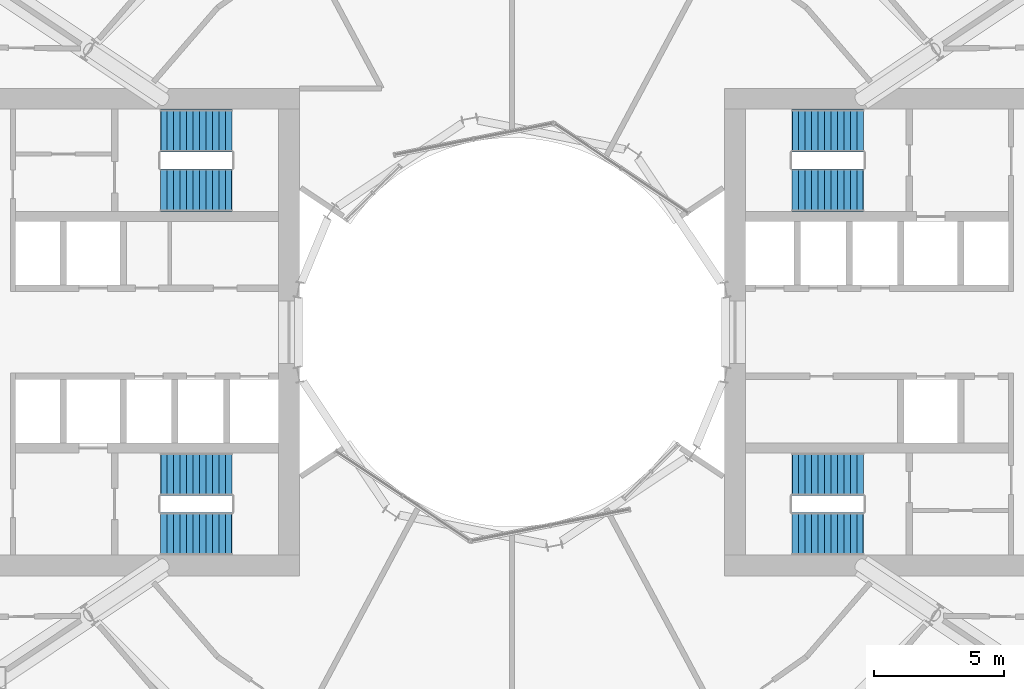
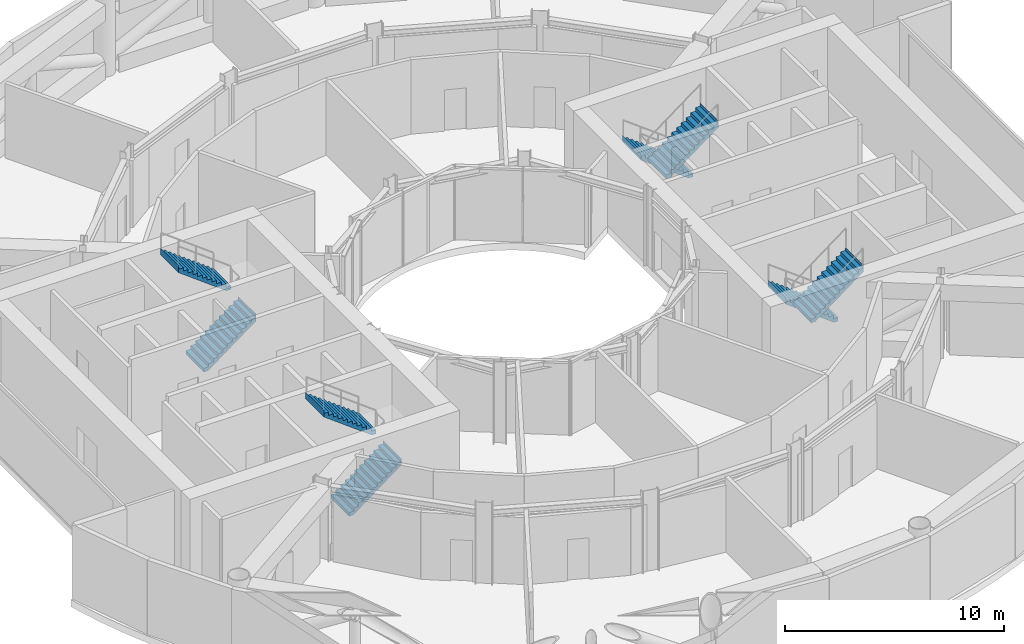
# One storey, part 14 of 15: 8 stair flights, 4 elements without a shape of their own.
"""IFC4 building model written with IfcOpenShell, lengths in metres."""

import ifcopenshell
import ifcopenshell.guid

model = None  # the IFC model being written
_history = None  # IfcOwnerHistory: only IFC2X3 demands one
_inside = {}  # id of a spatial element -> (the spatial element, [elements in it])
_under = {}  # id of a project, library or spatial element -> (it, [spatial elements below it])
_declared = {}  # id of a project -> (the project, [libraries it declares])
_typed = {}  # id of a type object -> (the type object, [elements of that type])
_made_of = {}  # id of a material, layer set ... -> (it, [elements and type objects made of it])


def new_model(schema):
    """Start an empty IFC model of exactly this schema.

    Asked for "IFC4X3", IfcOpenShell would pick the latest addendum, in which some entities
    have other attributes; the version numbers below select the first issue.
    IFC2X3 requires an IfcOwnerHistory on every rooted entity: one is made here for all.
    """
    global model, _history
    if schema == "IFC4X3":
        model = ifcopenshell.file(schema_version=(4, 3, 0, 0))
    else:
        model = ifcopenshell.file(schema=schema)
    _inside.clear()
    _under.clear()
    _declared.clear()
    _typed.clear()
    _made_of.clear()
    _history = None
    if model.schema == "IFC2X3":
        org = make("IfcOrganization", Name="unknown")
        user = make(
            "IfcPersonAndOrganization",
            ThePerson=make("IfcPerson", FamilyName="unknown"),
            TheOrganization=org,
        )
        app = make(
            "IfcApplication",
            ApplicationDeveloper=org,
            Version="unknown",
            ApplicationFullName="unknown",
            ApplicationIdentifier="unknown",
        )
        _history = make(
            "IfcOwnerHistory",
            OwningUser=user,
            OwningApplication=app,
            ChangeAction="ADDED",
            CreationDate=0,
        )
    return model


def make(cls, **values):
    """One entity of the class cls with the attributes given. An attribute that is None is left unset."""
    return model.create_entity(
        cls, **{name: value for name, value in values.items() if value is not None}
    )


def rooted(cls, **values):
    """An entity with a GlobalId (a new one), such as an element, a storey or a relation."""
    return make(cls, GlobalId=ifcopenshell.guid.new(), OwnerHistory=_history, **values)


def si_unit(unit_type, name, prefix=None):
    """IfcSIUnit, for example si_unit("LENGTHUNIT", "METRE", prefix="MILLI")."""
    return make("IfcSIUnit", UnitType=unit_type, Prefix=prefix, Name=name)


def assignment(units):
    """IfcUnitAssignment: the units of a project."""
    return None if units is None else make("IfcUnitAssignment", Units=units)


def point(xyz):
    """IfcCartesianPoint."""
    return None if xyz is None else make("IfcCartesianPoint", Coordinates=xyz)


def direction(xyz):
    """IfcDirection."""
    return None if xyz is None else make("IfcDirection", DirectionRatios=xyz)


def frame(location, z_axis=None, x_axis=None):
    """IfcAxis2Placement3D, a coordinate frame: its origin and axes. An axis left out is left unset."""
    return make(
        "IfcAxis2Placement3D",
        Location=point(location),
        Axis=direction(z_axis),
        RefDirection=direction(x_axis),
    )


def origin():
    """The frame at (0, 0, 0) with its axes left unset."""
    return frame((0.0, 0.0, 0.0))


def place(relative_to, where):
    """IfcLocalPlacement: puts the frame where relative to a parent placement (None: the world)."""
    return make(
        "IfcLocalPlacement", PlacementRelTo=relative_to, RelativePlacement=where
    )


def context(
    kind, dimensions, precision=None, world=None, true_north=None, identifier=None
):
    """IfcGeometricRepresentationContext, for example the 3D "Model" context."""
    return make(
        "IfcGeometricRepresentationContext",
        ContextIdentifier=identifier,
        ContextType=kind,
        CoordinateSpaceDimension=dimensions,
        Precision=precision,
        WorldCoordinateSystem=world,
        TrueNorth=true_north,
    )


def subcontext(parent, identifier, kind, view, scale=None):
    """IfcGeometricRepresentationSubContext, for example "Body" below "Model"."""
    return make(
        "IfcGeometricRepresentationSubContext",
        ContextIdentifier=identifier,
        ContextType=kind,
        ParentContext=parent,
        TargetScale=scale,
        TargetView=view,
    )


def project(units=None, contexts=None):
    """IfcProject with its units and contexts."""
    return rooted(
        "IfcProject",
        Name="project",
        RepresentationContexts=contexts,
        UnitsInContext=assignment(units),
    )


def spatial(cls, under=None, at=None, **own):
    """A site, building, storey or space (cls), placed at a placement, below another one or the project."""
    s = rooted(cls, ObjectPlacement=at, **own)
    if under is not None:
        _under.setdefault(under.id(), (under, []))[1].append(s)
    return s


def point_list(points):
    """IfcCartesianPointList2D or 3D."""
    cls = (
        "IfcCartesianPointList2D" if len(points[0]) == 2 else "IfcCartesianPointList3D"
    )
    return make(cls, CoordList=points)


def triangles(points, corners, closed=None, point_numbers=None):
    """IfcTriangulatedFaceSet: each triangle names its three corners, points numbered from 1."""
    return make(
        "IfcTriangulatedFaceSet",
        Coordinates=point_list(points),
        Closed=closed,
        CoordIndex=corners,
        PnIndex=point_numbers,
    )


def shape(context_of_items, identifier, shape_type, items):
    """IfcShapeRepresentation: the items that make up one representation, for example the "Body"."""
    return make(
        "IfcShapeRepresentation",
        ContextOfItems=context_of_items,
        RepresentationIdentifier=identifier,
        RepresentationType=shape_type,
        Items=items,
    )


def material(Name=None, Category=None):
    """IfcMaterial."""
    return make("IfcMaterial", Name=Name, Category=Category)


def made_of(thing, what):
    """Note that an element or type object is made of a material, layer set ...; save() writes the relation."""
    if what is not None:
        _made_of.setdefault(what.id(), (what, []))[1].append(thing)
    return thing


def type_object(cls, material=None, **own):
    """A type object (cls), such as IfcWallType, which elements share."""
    return made_of(rooted(cls, **own), material)


def element(
    cls,
    number,
    at=None,
    inside=None,
    cuts=None,
    type_object=None,
    material=None,
    context=None,
    identifier="Body",
    shape_type=None,
    held_by="IfcProductDefinitionShape",
    body=None,
    shapes=None,
    **own,
):
    """One element of the class cls, such as IfcWall. Its Tag is "e" and its number.

    at: its placement. inside: the storey or other place that contains it. cuts: it is an
    opening in that element (IfcRelVoidsElement). A single representation is given by context,
    identifier, shape_type and body (its items); several are given by shapes. held_by: the class
    of the entity that holds the representations. save() writes the other relations.
    """
    e = rooted(cls, Tag="e%d" % number, ObjectPlacement=at, **own)
    if body is not None:
        shapes = [shape(context, identifier, shape_type, body)]
    if shapes is not None:
        e.Representation = make(held_by, Representations=shapes)
    if inside is not None:
        _inside.setdefault(inside.id(), (inside, []))[1].append(e)
    if cuts is not None:
        rooted(
            "IfcRelVoidsElement", RelatingBuildingElement=cuts, RelatedOpeningElement=e
        )
    if type_object is not None:
        _typed.setdefault(type_object.id(), (type_object, []))[1].append(e)
    return made_of(e, material)


def aggregate(whole, parts):
    """IfcRelAggregates: a whole, such as a stair, and the parts it consists of."""
    return rooted("IfcRelAggregates", RelatingObject=whole, RelatedObjects=parts)


def save(model, path):
    """Write the relations noted so far, then the file.

    IfcRelAggregates (storeys below a building ...), IfcRelContainedInSpatialStructure (elements
    in a storey), IfcRelDefinesByType, IfcRelAssociatesMaterial and IfcRelDeclares: one each for
    every whole, place, type object, material and project.
    """
    for whole, parts in _under.values():
        aggregate(whole, parts)
    for where, things in _inside.values():
        rooted(
            "IfcRelContainedInSpatialStructure",
            RelatedElements=things,
            RelatingStructure=where,
        )
    for kind, things in _typed.values():
        rooted("IfcRelDefinesByType", RelatedObjects=things, RelatingType=kind)
    for what, things in _made_of.values():
        rooted("IfcRelAssociatesMaterial", RelatedObjects=things, RelatingMaterial=what)
    for by, libraries in _declared.values():
        rooted("IfcRelDeclares", RelatingContext=by, RelatedDefinitions=libraries)
    model.write(path)


model = new_model("IFC4")

# Units and contexts
model_context = context("Model", 3, precision=1e-05, world=origin(), true_north=direction((0.0, 1.0)))
body_context = subcontext(model_context, "Body", "Model", "MODEL_VIEW")
ifc_project = project(units=[si_unit("LENGTHUNIT", "METRE"), si_unit("AREAUNIT", "SQUARE_METRE"), si_unit("VOLUMEUNIT", "CUBIC_METRE"), si_unit("PLANEANGLEUNIT", "RADIAN"), si_unit("MASSUNIT", "GRAM", prefix="KILO")], contexts=[model_context])

# Site, building, storey
site_placement = place(None, origin())
site = spatial("IfcSite", under=ifc_project, at=site_placement, CompositionType="ELEMENT")
building_placement = place(site_placement, origin())
building = spatial("IfcBuilding", under=site, at=building_placement, Name="Maasbend Ring Residences", CompositionType="ELEMENT")
storey_placement = place(building_placement, frame((0.0, 0.0, 18.300048828125)))
storey = spatial("IfcBuildingStorey", under=building, at=storey_placement, Name="L04", CompositionType="ELEMENT", Elevation=18.300048828125)

# Stair, stair flights
ifc_material_1 = material(Name="Concrete C40/50", Category="concrete")
stair_type = type_object("IfcStairType", Name="CORE STAIR 24 RISERS", PredefinedType="HALF_TURN_STAIR", material=ifc_material_1)
stair_1_placement = place(storey_placement, origin())
stair_1 = element("IfcStair", 1, at=stair_1_placement, inside=storey, type_object=stair_type, Name="L04 Exit stair ST-E1", PredefinedType="HALF_TURN_STAIR")
ifc_material_2 = material(Name="Concrete C40/50", Category="concrete")
stair_flight_type = type_object("IfcStairFlightType", Name="CORE STAIR FLIGHT 1650", PredefinedType="STRAIGHT", material=ifc_material_2)
stair_flight_1_placement = place(storey_placement, frame((13.550048828125, 7.77490234375, 0.0), z_axis=(0.0, 0.0, 1.0), x_axis=(-1.0, 0.0, 0.0)))
stair_flight_1 = element("IfcStairFlight", 2, at=stair_flight_1_placement, type_object=stair_flight_type, Name="ST-E1 flight 1", NumberOfRisers=12, NumberOfTreads=11, PredefinedType="STRAIGHT", RiserHeight=0.1875, TreadLength=0.25, context=body_context, shape_type="Tessellation", body=[
    triangles([(0.22607421875, 0.824951171875, -0.02001953125), (2.7529296875, 0.824951171875, 1.875), (2.7529296875, 0.824951171875, 2.25), (2.739990234375, 0.824951171875, 2.0625), (2.5, 0.824951171875, 2.0625), (2.5, 0.824951171875, 1.875), (2.25, 0.824951171875, 1.875), (2.25, 0.824951171875, 1.6875), (2.0, 0.824951171875, 1.6875), (2.0, 0.824951171875, 1.5), (1.75, 0.824951171875, 1.5), (1.75, 0.824951171875, 1.3125), (1.5, 0.824951171875, 1.3125), (1.5, 0.824951171875, 1.125), (1.25, 0.824951171875, 1.125), (1.25, 0.824951171875, 0.9375), (1.0, 0.824951171875, 0.9375), (1.0, 0.824951171875, 0.75), (0.75, 0.824951171875, 0.75), (0.75, 0.824951171875, 0.5625), (0.5, 0.824951171875, 0.5625), (0.5, 0.824951171875, 0.375), (0.25, 0.824951171875, 0.375), (0.25, 0.824951171875, 0.1875), (0.0, 0.824951171875, 0.1875), (0.0, 0.824951171875, 0.0), (-0.0029296875, 0.824951171875, 0.0), (-0.0029296875, 0.824951171875, -0.02001953125), (0.22607421875, -0.824951171875, -0.02001953125), (2.7529296875, -0.824951171875, 1.875), (2.7529296875, -0.824951171875, 2.25), (2.739990234375, -0.824951171875, 2.0625), (2.5, -0.824951171875, 2.0625), (2.5, -0.824951171875, 1.875), (2.25, -0.824951171875, 1.875), (2.25, -0.824951171875, 1.6875), (2.0, -0.824951171875, 1.6875), (2.0, -0.824951171875, 1.5), (1.75, -0.824951171875, 1.5), (1.75, -0.824951171875, 1.3125), (1.5, -0.824951171875, 1.3125), (1.5, -0.824951171875, 1.125), (1.25, -0.824951171875, 1.125), (1.25, -0.824951171875, 0.9375), (1.0, -0.824951171875, 0.9375), (1.0, -0.824951171875, 0.75), (0.75, -0.824951171875, 0.75), (0.75, -0.824951171875, 0.5625), (0.5, -0.824951171875, 0.5625), (0.5, -0.824951171875, 0.375), (0.25, -0.824951171875, 0.375), (0.25, -0.824951171875, 0.1875), (0.0, -0.824951171875, 0.1875), (0.0, -0.824951171875, 0.0), (-0.0029296875, -0.824951171875, 0.0), (-0.0029296875, -0.824951171875, -0.02001953125)], [[1, 2, 30], [1, 30, 29], [2, 3, 31], [2, 31, 30], [3, 4, 32], [3, 32, 31], [4, 5, 33], [4, 33, 32], [5, 6, 34], [5, 34, 33], [6, 7, 35], [6, 35, 34], [7, 8, 36], [7, 36, 35], [8, 9, 37], [8, 37, 36], [9, 10, 38], [9, 38, 37], [10, 11, 39], [10, 39, 38], [11, 12, 40], [11, 40, 39], [12, 13, 41], [12, 41, 40], [13, 14, 42], [13, 42, 41], [14, 15, 43], [14, 43, 42], [15, 16, 44], [15, 44, 43], [16, 17, 45], [16, 45, 44], [17, 18, 46], [17, 46, 45], [18, 19, 47], [18, 47, 46], [19, 20, 48], [19, 48, 47], [20, 21, 49], [20, 49, 48], [21, 22, 50], [21, 50, 49], [22, 23, 51], [22, 51, 50], [23, 24, 52], [23, 52, 51], [24, 25, 53], [24, 53, 52], [25, 26, 54], [25, 54, 53], [26, 27, 55], [26, 55, 54], [27, 28, 56], [27, 56, 55], [28, 1, 29], [28, 29, 56], [28, 2, 1], [2, 4, 3], [2, 5, 4], [2, 6, 5], [28, 6, 2], [6, 8, 7], [28, 8, 6], [8, 10, 9], [28, 10, 8], [10, 12, 11], [28, 12, 10], [12, 14, 13], [28, 14, 12], [14, 16, 15], [28, 16, 14], [16, 18, 17], [28, 18, 16], [18, 20, 19], [28, 20, 18], [20, 22, 21], [28, 22, 20], [22, 24, 23], [28, 24, 22], [24, 26, 25], [28, 26, 24], [26, 28, 27], [56, 29, 30], [30, 31, 32], [30, 32, 33], [30, 33, 34], [56, 30, 34], [34, 35, 36], [56, 34, 36], [36, 37, 38], [56, 36, 38], [38, 39, 40], [56, 38, 40], [40, 41, 42], [56, 40, 42], [42, 43, 44], [56, 42, 44], [44, 45, 46], [56, 44, 46], [46, 47, 48], [56, 46, 48], [48, 49, 50], [56, 48, 50], [50, 51, 52], [56, 50, 52], [52, 53, 54], [56, 52, 54], [54, 55, 56]], closed=True),
])
stair_flight_2_placement = place(storey_placement, frame((10.800048828125, 5.47509765625, 2.25), z_axis=(0.0, 0.0, 1.0), x_axis=(1.0, 0.0, 0.0)))
stair_flight_2 = element("IfcStairFlight", 3, at=stair_flight_2_placement, type_object=stair_flight_type, Name="ST-E1 flight 2", NumberOfRisers=12, NumberOfTreads=11, PredefinedType="STRAIGHT", RiserHeight=0.1875, TreadLength=0.25, context=body_context, shape_type="Tessellation", body=[
    triangles([(0.22607421875, 0.824951171875, -0.02001953125), (2.7529296875, 0.824951171875, 1.875), (2.7529296875, 0.824951171875, 2.25), (2.739990234375, 0.824951171875, 2.0625), (2.5, 0.824951171875, 2.0625), (2.5, 0.824951171875, 1.875), (2.25, 0.824951171875, 1.875), (2.25, 0.824951171875, 1.6875), (2.0, 0.824951171875, 1.6875), (2.0, 0.824951171875, 1.5), (1.75, 0.824951171875, 1.5), (1.75, 0.824951171875, 1.3125), (1.5, 0.824951171875, 1.3125), (1.5, 0.824951171875, 1.125), (1.25, 0.824951171875, 1.125), (1.25, 0.824951171875, 0.9375), (1.0, 0.824951171875, 0.9375), (1.0, 0.824951171875, 0.75), (0.75, 0.824951171875, 0.75), (0.75, 0.824951171875, 0.5625), (0.5, 0.824951171875, 0.5625), (0.5, 0.824951171875, 0.375), (0.25, 0.824951171875, 0.375), (0.25, 0.824951171875, 0.1875), (0.0, 0.824951171875, 0.1875), (0.0, 0.824951171875, 0.0), (-0.0029296875, 0.824951171875, 0.0), (-0.0029296875, 0.824951171875, -0.02001953125), (0.22607421875, -0.824951171875, -0.02001953125), (2.7529296875, -0.824951171875, 1.875), (2.7529296875, -0.824951171875, 2.25), (2.739990234375, -0.824951171875, 2.0625), (2.5, -0.824951171875, 2.0625), (2.5, -0.824951171875, 1.875), (2.25, -0.824951171875, 1.875), (2.25, -0.824951171875, 1.6875), (2.0, -0.824951171875, 1.6875), (2.0, -0.824951171875, 1.5), (1.75, -0.824951171875, 1.5), (1.75, -0.824951171875, 1.3125), (1.5, -0.824951171875, 1.3125), (1.5, -0.824951171875, 1.125), (1.25, -0.824951171875, 1.125), (1.25, -0.824951171875, 0.9375), (1.0, -0.824951171875, 0.9375), (1.0, -0.824951171875, 0.75), (0.75, -0.824951171875, 0.75), (0.75, -0.824951171875, 0.5625), (0.5, -0.824951171875, 0.5625), (0.5, -0.824951171875, 0.375), (0.25, -0.824951171875, 0.375), (0.25, -0.824951171875, 0.1875), (0.0, -0.824951171875, 0.1875), (0.0, -0.824951171875, 0.0), (-0.0029296875, -0.824951171875, 0.0), (-0.0029296875, -0.824951171875, -0.02001953125)], [[1, 2, 30], [1, 30, 29], [2, 3, 31], [2, 31, 30], [3, 4, 32], [3, 32, 31], [4, 5, 33], [4, 33, 32], [5, 6, 34], [5, 34, 33], [6, 7, 35], [6, 35, 34], [7, 8, 36], [7, 36, 35], [8, 9, 37], [8, 37, 36], [9, 10, 38], [9, 38, 37], [10, 11, 39], [10, 39, 38], [11, 12, 40], [11, 40, 39], [12, 13, 41], [12, 41, 40], [13, 14, 42], [13, 42, 41], [14, 15, 43], [14, 43, 42], [15, 16, 44], [15, 44, 43], [16, 17, 45], [16, 45, 44], [17, 18, 46], [17, 46, 45], [18, 19, 47], [18, 47, 46], [19, 20, 48], [19, 48, 47], [20, 21, 49], [20, 49, 48], [21, 22, 50], [21, 50, 49], [22, 23, 51], [22, 51, 50], [23, 24, 52], [23, 52, 51], [24, 25, 53], [24, 53, 52], [25, 26, 54], [25, 54, 53], [26, 27, 55], [26, 55, 54], [27, 28, 56], [27, 56, 55], [28, 1, 29], [28, 29, 56], [28, 2, 1], [2, 4, 3], [2, 5, 4], [2, 6, 5], [28, 6, 2], [6, 8, 7], [28, 8, 6], [8, 10, 9], [28, 10, 8], [10, 12, 11], [28, 12, 10], [12, 14, 13], [28, 14, 12], [14, 16, 15], [28, 16, 14], [16, 18, 17], [28, 18, 16], [18, 20, 19], [28, 20, 18], [20, 22, 21], [28, 22, 20], [22, 24, 23], [28, 24, 22], [24, 26, 25], [28, 26, 24], [26, 28, 27], [56, 29, 30], [30, 31, 32], [30, 32, 33], [30, 33, 34], [56, 30, 34], [34, 35, 36], [56, 34, 36], [36, 37, 38], [56, 36, 38], [38, 39, 40], [56, 38, 40], [40, 41, 42], [56, 40, 42], [42, 43, 44], [56, 42, 44], [44, 45, 46], [56, 44, 46], [46, 47, 48], [56, 46, 48], [48, 49, 50], [56, 48, 50], [50, 51, 52], [56, 50, 52], [52, 53, 54], [56, 52, 54], [54, 55, 56]], closed=True),
])
aggregate(stair_1, [stair_flight_1, stair_flight_2])

stair_2_placement = place(storey_placement, origin())
stair_2 = element("IfcStair", 4, at=stair_2_placement, inside=storey, type_object=stair_type, Name="L04 Exit stair ST-E2", PredefinedType="HALF_TURN_STAIR")
stair_flight_3_placement = place(storey_placement, frame((13.550048828125, -5.47509765625, 0.0), z_axis=(0.0, 0.0, 1.0), x_axis=(-1.0, 0.0, 0.0)))
stair_flight_3 = element("IfcStairFlight", 5, at=stair_flight_3_placement, type_object=stair_flight_type, Name="ST-E2 flight 1", NumberOfRisers=12, NumberOfTreads=11, PredefinedType="STRAIGHT", RiserHeight=0.1875, TreadLength=0.25, context=body_context, shape_type="Tessellation", body=[
    triangles([(0.22607421875, 0.824951171875, -0.02001953125), (2.7529296875, 0.824951171875, 1.875), (2.7529296875, 0.824951171875, 2.25), (2.739990234375, 0.824951171875, 2.0625), (2.5, 0.824951171875, 2.0625), (2.5, 0.824951171875, 1.875), (2.25, 0.824951171875, 1.875), (2.25, 0.824951171875, 1.6875), (2.0, 0.824951171875, 1.6875), (2.0, 0.824951171875, 1.5), (1.75, 0.824951171875, 1.5), (1.75, 0.824951171875, 1.3125), (1.5, 0.824951171875, 1.3125), (1.5, 0.824951171875, 1.125), (1.25, 0.824951171875, 1.125), (1.25, 0.824951171875, 0.9375), (1.0, 0.824951171875, 0.9375), (1.0, 0.824951171875, 0.75), (0.75, 0.824951171875, 0.75), (0.75, 0.824951171875, 0.5625), (0.5, 0.824951171875, 0.5625), (0.5, 0.824951171875, 0.375), (0.25, 0.824951171875, 0.375), (0.25, 0.824951171875, 0.1875), (0.0, 0.824951171875, 0.1875), (0.0, 0.824951171875, 0.0), (-0.0029296875, 0.824951171875, 0.0), (-0.0029296875, 0.824951171875, -0.02001953125), (0.22607421875, -0.824951171875, -0.02001953125), (2.7529296875, -0.824951171875, 1.875), (2.7529296875, -0.824951171875, 2.25), (2.739990234375, -0.824951171875, 2.0625), (2.5, -0.824951171875, 2.0625), (2.5, -0.824951171875, 1.875), (2.25, -0.824951171875, 1.875), (2.25, -0.824951171875, 1.6875), (2.0, -0.824951171875, 1.6875), (2.0, -0.824951171875, 1.5), (1.75, -0.824951171875, 1.5), (1.75, -0.824951171875, 1.3125), (1.5, -0.824951171875, 1.3125), (1.5, -0.824951171875, 1.125), (1.25, -0.824951171875, 1.125), (1.25, -0.824951171875, 0.9375), (1.0, -0.824951171875, 0.9375), (1.0, -0.824951171875, 0.75), (0.75, -0.824951171875, 0.75), (0.75, -0.824951171875, 0.5625), (0.5, -0.824951171875, 0.5625), (0.5, -0.824951171875, 0.375), (0.25, -0.824951171875, 0.375), (0.25, -0.824951171875, 0.1875), (0.0, -0.824951171875, 0.1875), (0.0, -0.824951171875, 0.0), (-0.0029296875, -0.824951171875, 0.0), (-0.0029296875, -0.824951171875, -0.02001953125)], [[1, 2, 30], [1, 30, 29], [2, 3, 31], [2, 31, 30], [3, 4, 32], [3, 32, 31], [4, 5, 33], [4, 33, 32], [5, 6, 34], [5, 34, 33], [6, 7, 35], [6, 35, 34], [7, 8, 36], [7, 36, 35], [8, 9, 37], [8, 37, 36], [9, 10, 38], [9, 38, 37], [10, 11, 39], [10, 39, 38], [11, 12, 40], [11, 40, 39], [12, 13, 41], [12, 41, 40], [13, 14, 42], [13, 42, 41], [14, 15, 43], [14, 43, 42], [15, 16, 44], [15, 44, 43], [16, 17, 45], [16, 45, 44], [17, 18, 46], [17, 46, 45], [18, 19, 47], [18, 47, 46], [19, 20, 48], [19, 48, 47], [20, 21, 49], [20, 49, 48], [21, 22, 50], [21, 50, 49], [22, 23, 51], [22, 51, 50], [23, 24, 52], [23, 52, 51], [24, 25, 53], [24, 53, 52], [25, 26, 54], [25, 54, 53], [26, 27, 55], [26, 55, 54], [27, 28, 56], [27, 56, 55], [28, 1, 29], [28, 29, 56], [28, 2, 1], [2, 4, 3], [2, 5, 4], [2, 6, 5], [28, 6, 2], [6, 8, 7], [28, 8, 6], [8, 10, 9], [28, 10, 8], [10, 12, 11], [28, 12, 10], [12, 14, 13], [28, 14, 12], [14, 16, 15], [28, 16, 14], [16, 18, 17], [28, 18, 16], [18, 20, 19], [28, 20, 18], [20, 22, 21], [28, 22, 20], [22, 24, 23], [28, 24, 22], [24, 26, 25], [28, 26, 24], [26, 28, 27], [56, 29, 30], [30, 31, 32], [30, 32, 33], [30, 33, 34], [56, 30, 34], [34, 35, 36], [56, 34, 36], [36, 37, 38], [56, 36, 38], [38, 39, 40], [56, 38, 40], [40, 41, 42], [56, 40, 42], [42, 43, 44], [56, 42, 44], [44, 45, 46], [56, 44, 46], [46, 47, 48], [56, 46, 48], [48, 49, 50], [56, 48, 50], [50, 51, 52], [56, 50, 52], [52, 53, 54], [56, 52, 54], [54, 55, 56]], closed=True),
])
stair_flight_4_placement = place(storey_placement, frame((10.800048828125, -7.77490234375, 2.25), z_axis=(0.0, 0.0, 1.0), x_axis=(1.0, 0.0, 0.0)))
stair_flight_4 = element("IfcStairFlight", 6, at=stair_flight_4_placement, type_object=stair_flight_type, Name="ST-E2 flight 2", NumberOfRisers=12, NumberOfTreads=11, PredefinedType="STRAIGHT", RiserHeight=0.1875, TreadLength=0.25, context=body_context, shape_type="Tessellation", body=[
    triangles([(0.22607421875, 0.824951171875, -0.02001953125), (2.7529296875, 0.824951171875, 1.875), (2.7529296875, 0.824951171875, 2.25), (2.739990234375, 0.824951171875, 2.0625), (2.5, 0.824951171875, 2.0625), (2.5, 0.824951171875, 1.875), (2.25, 0.824951171875, 1.875), (2.25, 0.824951171875, 1.6875), (2.0, 0.824951171875, 1.6875), (2.0, 0.824951171875, 1.5), (1.75, 0.824951171875, 1.5), (1.75, 0.824951171875, 1.3125), (1.5, 0.824951171875, 1.3125), (1.5, 0.824951171875, 1.125), (1.25, 0.824951171875, 1.125), (1.25, 0.824951171875, 0.9375), (1.0, 0.824951171875, 0.9375), (1.0, 0.824951171875, 0.75), (0.75, 0.824951171875, 0.75), (0.75, 0.824951171875, 0.5625), (0.5, 0.824951171875, 0.5625), (0.5, 0.824951171875, 0.375), (0.25, 0.824951171875, 0.375), (0.25, 0.824951171875, 0.1875), (0.0, 0.824951171875, 0.1875), (0.0, 0.824951171875, 0.0), (-0.0029296875, 0.824951171875, 0.0), (-0.0029296875, 0.824951171875, -0.02001953125), (0.22607421875, -0.824951171875, -0.02001953125), (2.7529296875, -0.824951171875, 1.875), (2.7529296875, -0.824951171875, 2.25), (2.739990234375, -0.824951171875, 2.0625), (2.5, -0.824951171875, 2.0625), (2.5, -0.824951171875, 1.875), (2.25, -0.824951171875, 1.875), (2.25, -0.824951171875, 1.6875), (2.0, -0.824951171875, 1.6875), (2.0, -0.824951171875, 1.5), (1.75, -0.824951171875, 1.5), (1.75, -0.824951171875, 1.3125), (1.5, -0.824951171875, 1.3125), (1.5, -0.824951171875, 1.125), (1.25, -0.824951171875, 1.125), (1.25, -0.824951171875, 0.9375), (1.0, -0.824951171875, 0.9375), (1.0, -0.824951171875, 0.75), (0.75, -0.824951171875, 0.75), (0.75, -0.824951171875, 0.5625), (0.5, -0.824951171875, 0.5625), (0.5, -0.824951171875, 0.375), (0.25, -0.824951171875, 0.375), (0.25, -0.824951171875, 0.1875), (0.0, -0.824951171875, 0.1875), (0.0, -0.824951171875, 0.0), (-0.0029296875, -0.824951171875, 0.0), (-0.0029296875, -0.824951171875, -0.02001953125)], [[1, 2, 30], [1, 30, 29], [2, 3, 31], [2, 31, 30], [3, 4, 32], [3, 32, 31], [4, 5, 33], [4, 33, 32], [5, 6, 34], [5, 34, 33], [6, 7, 35], [6, 35, 34], [7, 8, 36], [7, 36, 35], [8, 9, 37], [8, 37, 36], [9, 10, 38], [9, 38, 37], [10, 11, 39], [10, 39, 38], [11, 12, 40], [11, 40, 39], [12, 13, 41], [12, 41, 40], [13, 14, 42], [13, 42, 41], [14, 15, 43], [14, 43, 42], [15, 16, 44], [15, 44, 43], [16, 17, 45], [16, 45, 44], [17, 18, 46], [17, 46, 45], [18, 19, 47], [18, 47, 46], [19, 20, 48], [19, 48, 47], [20, 21, 49], [20, 49, 48], [21, 22, 50], [21, 50, 49], [22, 23, 51], [22, 51, 50], [23, 24, 52], [23, 52, 51], [24, 25, 53], [24, 53, 52], [25, 26, 54], [25, 54, 53], [26, 27, 55], [26, 55, 54], [27, 28, 56], [27, 56, 55], [28, 1, 29], [28, 29, 56], [28, 2, 1], [2, 4, 3], [2, 5, 4], [2, 6, 5], [28, 6, 2], [6, 8, 7], [28, 8, 6], [8, 10, 9], [28, 10, 8], [10, 12, 11], [28, 12, 10], [12, 14, 13], [28, 14, 12], [14, 16, 15], [28, 16, 14], [16, 18, 17], [28, 18, 16], [18, 20, 19], [28, 20, 18], [20, 22, 21], [28, 22, 20], [22, 24, 23], [28, 24, 22], [24, 26, 25], [28, 26, 24], [26, 28, 27], [56, 29, 30], [30, 31, 32], [30, 32, 33], [30, 33, 34], [56, 30, 34], [34, 35, 36], [56, 34, 36], [36, 37, 38], [56, 36, 38], [38, 39, 40], [56, 38, 40], [40, 41, 42], [56, 40, 42], [42, 43, 44], [56, 42, 44], [44, 45, 46], [56, 44, 46], [46, 47, 48], [56, 46, 48], [48, 49, 50], [56, 48, 50], [50, 51, 52], [56, 50, 52], [52, 53, 54], [56, 52, 54], [54, 55, 56]], closed=True),
])
aggregate(stair_2, [stair_flight_3, stair_flight_4])

stair_3_placement = place(storey_placement, origin())
stair_3 = element("IfcStair", 7, at=stair_3_placement, inside=storey, type_object=stair_type, Name="L04 Exit stair ST-W1", PredefinedType="HALF_TURN_STAIR")
stair_flight_5_placement = place(storey_placement, frame((-13.550048828125, -7.77490234375, 0.0), z_axis=(0.0, 0.0, 1.0), x_axis=(1.0, 0.0, 0.0)))
stair_flight_5 = element("IfcStairFlight", 8, at=stair_flight_5_placement, type_object=stair_flight_type, Name="ST-W1 flight 1", NumberOfRisers=12, NumberOfTreads=11, PredefinedType="STRAIGHT", RiserHeight=0.1875, TreadLength=0.25, context=body_context, shape_type="Tessellation", body=[
    triangles([(0.22607421875, 0.824951171875, -0.02001953125), (2.7529296875, 0.824951171875, 1.875), (2.7529296875, 0.824951171875, 2.25), (2.739990234375, 0.824951171875, 2.0625), (2.5, 0.824951171875, 2.0625), (2.5, 0.824951171875, 1.875), (2.25, 0.824951171875, 1.875), (2.25, 0.824951171875, 1.6875), (2.0, 0.824951171875, 1.6875), (2.0, 0.824951171875, 1.5), (1.75, 0.824951171875, 1.5), (1.75, 0.824951171875, 1.3125), (1.5, 0.824951171875, 1.3125), (1.5, 0.824951171875, 1.125), (1.25, 0.824951171875, 1.125), (1.25, 0.824951171875, 0.9375), (1.0, 0.824951171875, 0.9375), (1.0, 0.824951171875, 0.75), (0.75, 0.824951171875, 0.75), (0.75, 0.824951171875, 0.5625), (0.5, 0.824951171875, 0.5625), (0.5, 0.824951171875, 0.375), (0.25, 0.824951171875, 0.375), (0.25, 0.824951171875, 0.1875), (0.0, 0.824951171875, 0.1875), (0.0, 0.824951171875, 0.0), (-0.0029296875, 0.824951171875, 0.0), (-0.0029296875, 0.824951171875, -0.02001953125), (0.22607421875, -0.824951171875, -0.02001953125), (2.7529296875, -0.824951171875, 1.875), (2.7529296875, -0.824951171875, 2.25), (2.739990234375, -0.824951171875, 2.0625), (2.5, -0.824951171875, 2.0625), (2.5, -0.824951171875, 1.875), (2.25, -0.824951171875, 1.875), (2.25, -0.824951171875, 1.6875), (2.0, -0.824951171875, 1.6875), (2.0, -0.824951171875, 1.5), (1.75, -0.824951171875, 1.5), (1.75, -0.824951171875, 1.3125), (1.5, -0.824951171875, 1.3125), (1.5, -0.824951171875, 1.125), (1.25, -0.824951171875, 1.125), (1.25, -0.824951171875, 0.9375), (1.0, -0.824951171875, 0.9375), (1.0, -0.824951171875, 0.75), (0.75, -0.824951171875, 0.75), (0.75, -0.824951171875, 0.5625), (0.5, -0.824951171875, 0.5625), (0.5, -0.824951171875, 0.375), (0.25, -0.824951171875, 0.375), (0.25, -0.824951171875, 0.1875), (0.0, -0.824951171875, 0.1875), (0.0, -0.824951171875, 0.0), (-0.0029296875, -0.824951171875, 0.0), (-0.0029296875, -0.824951171875, -0.02001953125)], [[1, 2, 30], [1, 30, 29], [2, 3, 31], [2, 31, 30], [3, 4, 32], [3, 32, 31], [4, 5, 33], [4, 33, 32], [5, 6, 34], [5, 34, 33], [6, 7, 35], [6, 35, 34], [7, 8, 36], [7, 36, 35], [8, 9, 37], [8, 37, 36], [9, 10, 38], [9, 38, 37], [10, 11, 39], [10, 39, 38], [11, 12, 40], [11, 40, 39], [12, 13, 41], [12, 41, 40], [13, 14, 42], [13, 42, 41], [14, 15, 43], [14, 43, 42], [15, 16, 44], [15, 44, 43], [16, 17, 45], [16, 45, 44], [17, 18, 46], [17, 46, 45], [18, 19, 47], [18, 47, 46], [19, 20, 48], [19, 48, 47], [20, 21, 49], [20, 49, 48], [21, 22, 50], [21, 50, 49], [22, 23, 51], [22, 51, 50], [23, 24, 52], [23, 52, 51], [24, 25, 53], [24, 53, 52], [25, 26, 54], [25, 54, 53], [26, 27, 55], [26, 55, 54], [27, 28, 56], [27, 56, 55], [28, 1, 29], [28, 29, 56], [28, 2, 1], [2, 4, 3], [2, 5, 4], [2, 6, 5], [28, 6, 2], [6, 8, 7], [28, 8, 6], [8, 10, 9], [28, 10, 8], [10, 12, 11], [28, 12, 10], [12, 14, 13], [28, 14, 12], [14, 16, 15], [28, 16, 14], [16, 18, 17], [28, 18, 16], [18, 20, 19], [28, 20, 18], [20, 22, 21], [28, 22, 20], [22, 24, 23], [28, 24, 22], [24, 26, 25], [28, 26, 24], [26, 28, 27], [56, 29, 30], [30, 31, 32], [30, 32, 33], [30, 33, 34], [56, 30, 34], [34, 35, 36], [56, 34, 36], [36, 37, 38], [56, 36, 38], [38, 39, 40], [56, 38, 40], [40, 41, 42], [56, 40, 42], [42, 43, 44], [56, 42, 44], [44, 45, 46], [56, 44, 46], [46, 47, 48], [56, 46, 48], [48, 49, 50], [56, 48, 50], [50, 51, 52], [56, 50, 52], [52, 53, 54], [56, 52, 54], [54, 55, 56]], closed=True),
])
stair_flight_6_placement = place(storey_placement, frame((-10.800048828125, -5.47509765625, 2.25), z_axis=(0.0, 0.0, 1.0), x_axis=(-1.0, 0.0, 0.0)))
stair_flight_6 = element("IfcStairFlight", 9, at=stair_flight_6_placement, type_object=stair_flight_type, Name="ST-W1 flight 2", NumberOfRisers=12, NumberOfTreads=11, PredefinedType="STRAIGHT", RiserHeight=0.1875, TreadLength=0.25, context=body_context, shape_type="Tessellation", body=[
    triangles([(0.22607421875, 0.824951171875, -0.02001953125), (2.7529296875, 0.824951171875, 1.875), (2.7529296875, 0.824951171875, 2.25), (2.739990234375, 0.824951171875, 2.0625), (2.5, 0.824951171875, 2.0625), (2.5, 0.824951171875, 1.875), (2.25, 0.824951171875, 1.875), (2.25, 0.824951171875, 1.6875), (2.0, 0.824951171875, 1.6875), (2.0, 0.824951171875, 1.5), (1.75, 0.824951171875, 1.5), (1.75, 0.824951171875, 1.3125), (1.5, 0.824951171875, 1.3125), (1.5, 0.824951171875, 1.125), (1.25, 0.824951171875, 1.125), (1.25, 0.824951171875, 0.9375), (1.0, 0.824951171875, 0.9375), (1.0, 0.824951171875, 0.75), (0.75, 0.824951171875, 0.75), (0.75, 0.824951171875, 0.5625), (0.5, 0.824951171875, 0.5625), (0.5, 0.824951171875, 0.375), (0.25, 0.824951171875, 0.375), (0.25, 0.824951171875, 0.1875), (0.0, 0.824951171875, 0.1875), (0.0, 0.824951171875, 0.0), (-0.0029296875, 0.824951171875, 0.0), (-0.0029296875, 0.824951171875, -0.02001953125), (0.22607421875, -0.824951171875, -0.02001953125), (2.7529296875, -0.824951171875, 1.875), (2.7529296875, -0.824951171875, 2.25), (2.739990234375, -0.824951171875, 2.0625), (2.5, -0.824951171875, 2.0625), (2.5, -0.824951171875, 1.875), (2.25, -0.824951171875, 1.875), (2.25, -0.824951171875, 1.6875), (2.0, -0.824951171875, 1.6875), (2.0, -0.824951171875, 1.5), (1.75, -0.824951171875, 1.5), (1.75, -0.824951171875, 1.3125), (1.5, -0.824951171875, 1.3125), (1.5, -0.824951171875, 1.125), (1.25, -0.824951171875, 1.125), (1.25, -0.824951171875, 0.9375), (1.0, -0.824951171875, 0.9375), (1.0, -0.824951171875, 0.75), (0.75, -0.824951171875, 0.75), (0.75, -0.824951171875, 0.5625), (0.5, -0.824951171875, 0.5625), (0.5, -0.824951171875, 0.375), (0.25, -0.824951171875, 0.375), (0.25, -0.824951171875, 0.1875), (0.0, -0.824951171875, 0.1875), (0.0, -0.824951171875, 0.0), (-0.0029296875, -0.824951171875, 0.0), (-0.0029296875, -0.824951171875, -0.02001953125)], [[1, 2, 30], [1, 30, 29], [2, 3, 31], [2, 31, 30], [3, 4, 32], [3, 32, 31], [4, 5, 33], [4, 33, 32], [5, 6, 34], [5, 34, 33], [6, 7, 35], [6, 35, 34], [7, 8, 36], [7, 36, 35], [8, 9, 37], [8, 37, 36], [9, 10, 38], [9, 38, 37], [10, 11, 39], [10, 39, 38], [11, 12, 40], [11, 40, 39], [12, 13, 41], [12, 41, 40], [13, 14, 42], [13, 42, 41], [14, 15, 43], [14, 43, 42], [15, 16, 44], [15, 44, 43], [16, 17, 45], [16, 45, 44], [17, 18, 46], [17, 46, 45], [18, 19, 47], [18, 47, 46], [19, 20, 48], [19, 48, 47], [20, 21, 49], [20, 49, 48], [21, 22, 50], [21, 50, 49], [22, 23, 51], [22, 51, 50], [23, 24, 52], [23, 52, 51], [24, 25, 53], [24, 53, 52], [25, 26, 54], [25, 54, 53], [26, 27, 55], [26, 55, 54], [27, 28, 56], [27, 56, 55], [28, 1, 29], [28, 29, 56], [28, 2, 1], [2, 4, 3], [2, 5, 4], [2, 6, 5], [28, 6, 2], [6, 8, 7], [28, 8, 6], [8, 10, 9], [28, 10, 8], [10, 12, 11], [28, 12, 10], [12, 14, 13], [28, 14, 12], [14, 16, 15], [28, 16, 14], [16, 18, 17], [28, 18, 16], [18, 20, 19], [28, 20, 18], [20, 22, 21], [28, 22, 20], [22, 24, 23], [28, 24, 22], [24, 26, 25], [28, 26, 24], [26, 28, 27], [56, 29, 30], [30, 31, 32], [30, 32, 33], [30, 33, 34], [56, 30, 34], [34, 35, 36], [56, 34, 36], [36, 37, 38], [56, 36, 38], [38, 39, 40], [56, 38, 40], [40, 41, 42], [56, 40, 42], [42, 43, 44], [56, 42, 44], [44, 45, 46], [56, 44, 46], [46, 47, 48], [56, 46, 48], [48, 49, 50], [56, 48, 50], [50, 51, 52], [56, 50, 52], [52, 53, 54], [56, 52, 54], [54, 55, 56]], closed=True),
])
aggregate(stair_3, [stair_flight_5, stair_flight_6])

stair_4_placement = place(storey_placement, origin())
stair_4 = element("IfcStair", 10, at=stair_4_placement, inside=storey, type_object=stair_type, Name="L04 Exit stair ST-W2", PredefinedType="HALF_TURN_STAIR")
stair_flight_7_placement = place(storey_placement, frame((-13.550048828125, 5.47509765625, 0.0), z_axis=(0.0, 0.0, 1.0), x_axis=(1.0, 0.0, 0.0)))
stair_flight_7 = element("IfcStairFlight", 11, at=stair_flight_7_placement, type_object=stair_flight_type, Name="ST-W2 flight 1", NumberOfRisers=12, NumberOfTreads=11, PredefinedType="STRAIGHT", RiserHeight=0.1875, TreadLength=0.25, context=body_context, shape_type="Tessellation", body=[
    triangles([(0.22607421875, 0.824951171875, -0.02001953125), (2.7529296875, 0.824951171875, 1.875), (2.7529296875, 0.824951171875, 2.25), (2.739990234375, 0.824951171875, 2.0625), (2.5, 0.824951171875, 2.0625), (2.5, 0.824951171875, 1.875), (2.25, 0.824951171875, 1.875), (2.25, 0.824951171875, 1.6875), (2.0, 0.824951171875, 1.6875), (2.0, 0.824951171875, 1.5), (1.75, 0.824951171875, 1.5), (1.75, 0.824951171875, 1.3125), (1.5, 0.824951171875, 1.3125), (1.5, 0.824951171875, 1.125), (1.25, 0.824951171875, 1.125), (1.25, 0.824951171875, 0.9375), (1.0, 0.824951171875, 0.9375), (1.0, 0.824951171875, 0.75), (0.75, 0.824951171875, 0.75), (0.75, 0.824951171875, 0.5625), (0.5, 0.824951171875, 0.5625), (0.5, 0.824951171875, 0.375), (0.25, 0.824951171875, 0.375), (0.25, 0.824951171875, 0.1875), (0.0, 0.824951171875, 0.1875), (0.0, 0.824951171875, 0.0), (-0.0029296875, 0.824951171875, 0.0), (-0.0029296875, 0.824951171875, -0.02001953125), (0.22607421875, -0.824951171875, -0.02001953125), (2.7529296875, -0.824951171875, 1.875), (2.7529296875, -0.824951171875, 2.25), (2.739990234375, -0.824951171875, 2.0625), (2.5, -0.824951171875, 2.0625), (2.5, -0.824951171875, 1.875), (2.25, -0.824951171875, 1.875), (2.25, -0.824951171875, 1.6875), (2.0, -0.824951171875, 1.6875), (2.0, -0.824951171875, 1.5), (1.75, -0.824951171875, 1.5), (1.75, -0.824951171875, 1.3125), (1.5, -0.824951171875, 1.3125), (1.5, -0.824951171875, 1.125), (1.25, -0.824951171875, 1.125), (1.25, -0.824951171875, 0.9375), (1.0, -0.824951171875, 0.9375), (1.0, -0.824951171875, 0.75), (0.75, -0.824951171875, 0.75), (0.75, -0.824951171875, 0.5625), (0.5, -0.824951171875, 0.5625), (0.5, -0.824951171875, 0.375), (0.25, -0.824951171875, 0.375), (0.25, -0.824951171875, 0.1875), (0.0, -0.824951171875, 0.1875), (0.0, -0.824951171875, 0.0), (-0.0029296875, -0.824951171875, 0.0), (-0.0029296875, -0.824951171875, -0.02001953125)], [[1, 2, 30], [1, 30, 29], [2, 3, 31], [2, 31, 30], [3, 4, 32], [3, 32, 31], [4, 5, 33], [4, 33, 32], [5, 6, 34], [5, 34, 33], [6, 7, 35], [6, 35, 34], [7, 8, 36], [7, 36, 35], [8, 9, 37], [8, 37, 36], [9, 10, 38], [9, 38, 37], [10, 11, 39], [10, 39, 38], [11, 12, 40], [11, 40, 39], [12, 13, 41], [12, 41, 40], [13, 14, 42], [13, 42, 41], [14, 15, 43], [14, 43, 42], [15, 16, 44], [15, 44, 43], [16, 17, 45], [16, 45, 44], [17, 18, 46], [17, 46, 45], [18, 19, 47], [18, 47, 46], [19, 20, 48], [19, 48, 47], [20, 21, 49], [20, 49, 48], [21, 22, 50], [21, 50, 49], [22, 23, 51], [22, 51, 50], [23, 24, 52], [23, 52, 51], [24, 25, 53], [24, 53, 52], [25, 26, 54], [25, 54, 53], [26, 27, 55], [26, 55, 54], [27, 28, 56], [27, 56, 55], [28, 1, 29], [28, 29, 56], [28, 2, 1], [2, 4, 3], [2, 5, 4], [2, 6, 5], [28, 6, 2], [6, 8, 7], [28, 8, 6], [8, 10, 9], [28, 10, 8], [10, 12, 11], [28, 12, 10], [12, 14, 13], [28, 14, 12], [14, 16, 15], [28, 16, 14], [16, 18, 17], [28, 18, 16], [18, 20, 19], [28, 20, 18], [20, 22, 21], [28, 22, 20], [22, 24, 23], [28, 24, 22], [24, 26, 25], [28, 26, 24], [26, 28, 27], [56, 29, 30], [30, 31, 32], [30, 32, 33], [30, 33, 34], [56, 30, 34], [34, 35, 36], [56, 34, 36], [36, 37, 38], [56, 36, 38], [38, 39, 40], [56, 38, 40], [40, 41, 42], [56, 40, 42], [42, 43, 44], [56, 42, 44], [44, 45, 46], [56, 44, 46], [46, 47, 48], [56, 46, 48], [48, 49, 50], [56, 48, 50], [50, 51, 52], [56, 50, 52], [52, 53, 54], [56, 52, 54], [54, 55, 56]], closed=True),
])
stair_flight_8_placement = place(storey_placement, frame((-10.800048828125, 7.77490234375, 2.25), z_axis=(0.0, 0.0, 1.0), x_axis=(-1.0, 0.0, 0.0)))
stair_flight_8 = element("IfcStairFlight", 12, at=stair_flight_8_placement, type_object=stair_flight_type, Name="ST-W2 flight 2", NumberOfRisers=12, NumberOfTreads=11, PredefinedType="STRAIGHT", RiserHeight=0.1875, TreadLength=0.25, context=body_context, shape_type="Tessellation", body=[
    triangles([(0.22607421875, 0.824951171875, -0.02001953125), (2.7529296875, 0.824951171875, 1.875), (2.7529296875, 0.824951171875, 2.25), (2.739990234375, 0.824951171875, 2.0625), (2.5, 0.824951171875, 2.0625), (2.5, 0.824951171875, 1.875), (2.25, 0.824951171875, 1.875), (2.25, 0.824951171875, 1.6875), (2.0, 0.824951171875, 1.6875), (2.0, 0.824951171875, 1.5), (1.75, 0.824951171875, 1.5), (1.75, 0.824951171875, 1.3125), (1.5, 0.824951171875, 1.3125), (1.5, 0.824951171875, 1.125), (1.25, 0.824951171875, 1.125), (1.25, 0.824951171875, 0.9375), (1.0, 0.824951171875, 0.9375), (1.0, 0.824951171875, 0.75), (0.75, 0.824951171875, 0.75), (0.75, 0.824951171875, 0.5625), (0.5, 0.824951171875, 0.5625), (0.5, 0.824951171875, 0.375), (0.25, 0.824951171875, 0.375), (0.25, 0.824951171875, 0.1875), (0.0, 0.824951171875, 0.1875), (0.0, 0.824951171875, 0.0), (-0.0029296875, 0.824951171875, 0.0), (-0.0029296875, 0.824951171875, -0.02001953125), (0.22607421875, -0.824951171875, -0.02001953125), (2.7529296875, -0.824951171875, 1.875), (2.7529296875, -0.824951171875, 2.25), (2.739990234375, -0.824951171875, 2.0625), (2.5, -0.824951171875, 2.0625), (2.5, -0.824951171875, 1.875), (2.25, -0.824951171875, 1.875), (2.25, -0.824951171875, 1.6875), (2.0, -0.824951171875, 1.6875), (2.0, -0.824951171875, 1.5), (1.75, -0.824951171875, 1.5), (1.75, -0.824951171875, 1.3125), (1.5, -0.824951171875, 1.3125), (1.5, -0.824951171875, 1.125), (1.25, -0.824951171875, 1.125), (1.25, -0.824951171875, 0.9375), (1.0, -0.824951171875, 0.9375), (1.0, -0.824951171875, 0.75), (0.75, -0.824951171875, 0.75), (0.75, -0.824951171875, 0.5625), (0.5, -0.824951171875, 0.5625), (0.5, -0.824951171875, 0.375), (0.25, -0.824951171875, 0.375), (0.25, -0.824951171875, 0.1875), (0.0, -0.824951171875, 0.1875), (0.0, -0.824951171875, 0.0), (-0.0029296875, -0.824951171875, 0.0), (-0.0029296875, -0.824951171875, -0.02001953125)], [[1, 2, 30], [1, 30, 29], [2, 3, 31], [2, 31, 30], [3, 4, 32], [3, 32, 31], [4, 5, 33], [4, 33, 32], [5, 6, 34], [5, 34, 33], [6, 7, 35], [6, 35, 34], [7, 8, 36], [7, 36, 35], [8, 9, 37], [8, 37, 36], [9, 10, 38], [9, 38, 37], [10, 11, 39], [10, 39, 38], [11, 12, 40], [11, 40, 39], [12, 13, 41], [12, 41, 40], [13, 14, 42], [13, 42, 41], [14, 15, 43], [14, 43, 42], [15, 16, 44], [15, 44, 43], [16, 17, 45], [16, 45, 44], [17, 18, 46], [17, 46, 45], [18, 19, 47], [18, 47, 46], [19, 20, 48], [19, 48, 47], [20, 21, 49], [20, 49, 48], [21, 22, 50], [21, 50, 49], [22, 23, 51], [22, 51, 50], [23, 24, 52], [23, 52, 51], [24, 25, 53], [24, 53, 52], [25, 26, 54], [25, 54, 53], [26, 27, 55], [26, 55, 54], [27, 28, 56], [27, 56, 55], [28, 1, 29], [28, 29, 56], [28, 2, 1], [2, 4, 3], [2, 5, 4], [2, 6, 5], [28, 6, 2], [6, 8, 7], [28, 8, 6], [8, 10, 9], [28, 10, 8], [10, 12, 11], [28, 12, 10], [12, 14, 13], [28, 14, 12], [14, 16, 15], [28, 16, 14], [16, 18, 17], [28, 18, 16], [18, 20, 19], [28, 20, 18], [20, 22, 21], [28, 22, 20], [22, 24, 23], [28, 24, 22], [24, 26, 25], [28, 26, 24], [26, 28, 27], [56, 29, 30], [30, 31, 32], [30, 32, 33], [30, 33, 34], [56, 30, 34], [34, 35, 36], [56, 34, 36], [36, 37, 38], [56, 36, 38], [38, 39, 40], [56, 38, 40], [40, 41, 42], [56, 40, 42], [42, 43, 44], [56, 42, 44], [44, 45, 46], [56, 44, 46], [46, 47, 48], [56, 46, 48], [48, 49, 50], [56, 48, 50], [50, 51, 52], [56, 50, 52], [52, 53, 54], [56, 52, 54], [54, 55, 56]], closed=True),
])
aggregate(stair_4, [stair_flight_7, stair_flight_8])

save(model, "model.ifc")
